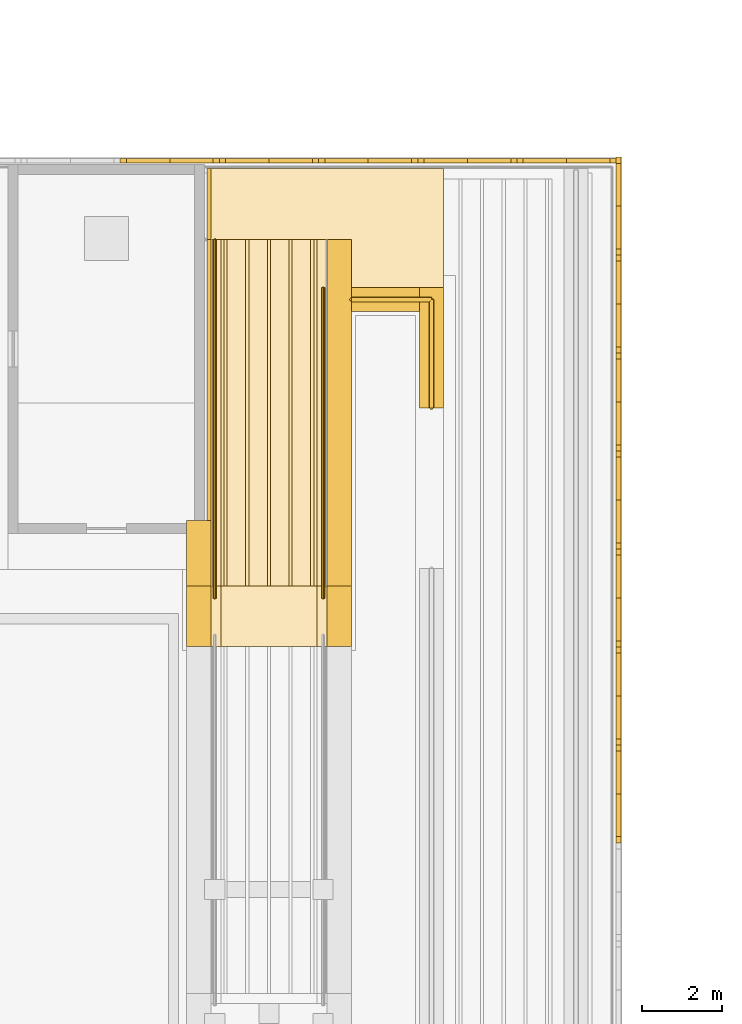
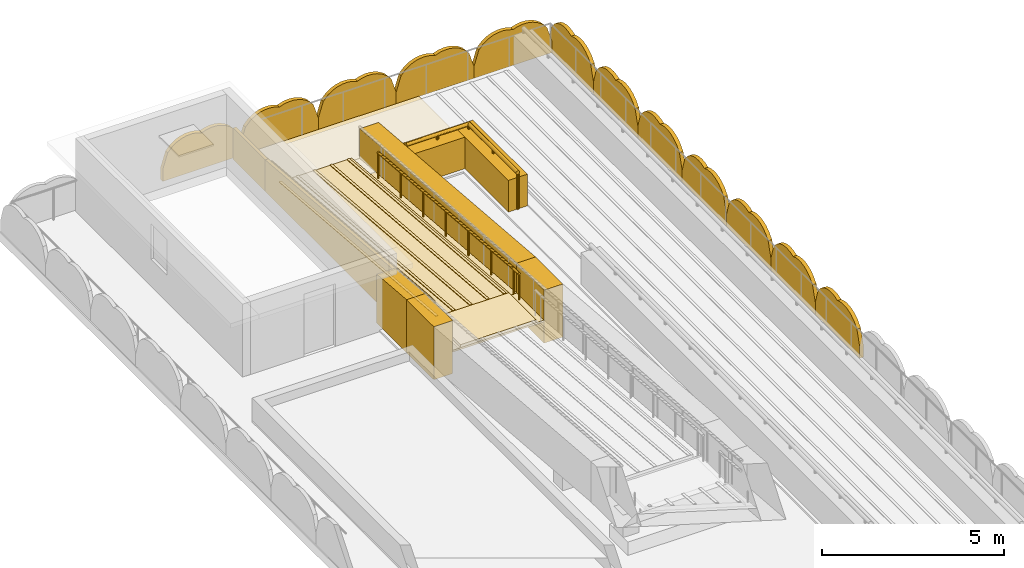
# One storey, part 50 of 50: 18 coverings, 12 shading devices, 3 railings.
"""IFC4 building model written with IfcOpenShell, lengths in metres."""

import ifcopenshell
import ifcopenshell.guid

model = None  # the IFC model being written
_history = None  # IfcOwnerHistory: only IFC2X3 demands one
_inside = {}  # id of a spatial element -> (the spatial element, [elements in it])
_under = {}  # id of a project, library or spatial element -> (it, [spatial elements below it])
_declared = {}  # id of a project -> (the project, [libraries it declares])
_typed = {}  # id of a type object -> (the type object, [elements of that type])
_made_of = {}  # id of a material, layer set ... -> (it, [elements and type objects made of it])


def new_model(schema):
    """Start an empty IFC model of exactly this schema.

    Asked for "IFC4X3", IfcOpenShell would pick the latest addendum, in which some entities
    have other attributes; the version numbers below select the first issue.
    IFC2X3 requires an IfcOwnerHistory on every rooted entity: one is made here for all.
    """
    global model, _history
    if schema == "IFC4X3":
        model = ifcopenshell.file(schema_version=(4, 3, 0, 0))
    else:
        model = ifcopenshell.file(schema=schema)
    _inside.clear()
    _under.clear()
    _declared.clear()
    _typed.clear()
    _made_of.clear()
    _history = None
    if model.schema == "IFC2X3":
        org = make("IfcOrganization", Name="unknown")
        user = make(
            "IfcPersonAndOrganization",
            ThePerson=make("IfcPerson", FamilyName="unknown"),
            TheOrganization=org,
        )
        app = make(
            "IfcApplication",
            ApplicationDeveloper=org,
            Version="unknown",
            ApplicationFullName="unknown",
            ApplicationIdentifier="unknown",
        )
        _history = make(
            "IfcOwnerHistory",
            OwningUser=user,
            OwningApplication=app,
            ChangeAction="ADDED",
            CreationDate=0,
        )
    return model


def make(cls, **values):
    """One entity of the class cls with the attributes given. An attribute that is None is left unset."""
    return model.create_entity(
        cls, **{name: value for name, value in values.items() if value is not None}
    )


def rooted(cls, **values):
    """An entity with a GlobalId (a new one), such as an element, a storey or a relation."""
    return make(cls, GlobalId=ifcopenshell.guid.new(), OwnerHistory=_history, **values)


def si_unit(unit_type, name, prefix=None):
    """IfcSIUnit, for example si_unit("LENGTHUNIT", "METRE", prefix="MILLI")."""
    return make("IfcSIUnit", UnitType=unit_type, Prefix=prefix, Name=name)


def assignment(units):
    """IfcUnitAssignment: the units of a project."""
    return None if units is None else make("IfcUnitAssignment", Units=units)


def point(xyz):
    """IfcCartesianPoint."""
    return None if xyz is None else make("IfcCartesianPoint", Coordinates=xyz)


def direction(xyz):
    """IfcDirection."""
    return None if xyz is None else make("IfcDirection", DirectionRatios=xyz)


def frame(location, z_axis=None, x_axis=None):
    """IfcAxis2Placement3D, a coordinate frame: its origin and axes. An axis left out is left unset."""
    return make(
        "IfcAxis2Placement3D",
        Location=point(location),
        Axis=direction(z_axis),
        RefDirection=direction(x_axis),
    )


def frame_2d(location, x_axis=None):
    """IfcAxis2Placement2D, a coordinate frame in the plane: its origin and x axis."""
    return make(
        "IfcAxis2Placement2D", Location=point(location), RefDirection=direction(x_axis)
    )


def origin():
    """The frame at (0, 0, 0) with its axes left unset."""
    return frame((0.0, 0.0, 0.0))


def origin_2d():
    """The frame at (0, 0) in the plane with its x axis left unset."""
    return frame_2d((0.0, 0.0))


def place(relative_to, where):
    """IfcLocalPlacement: puts the frame where relative to a parent placement (None: the world)."""
    return make(
        "IfcLocalPlacement", PlacementRelTo=relative_to, RelativePlacement=where
    )


def context(
    kind, dimensions, precision=None, world=None, true_north=None, identifier=None
):
    """IfcGeometricRepresentationContext, for example the 3D "Model" context."""
    return make(
        "IfcGeometricRepresentationContext",
        ContextIdentifier=identifier,
        ContextType=kind,
        CoordinateSpaceDimension=dimensions,
        Precision=precision,
        WorldCoordinateSystem=world,
        TrueNorth=true_north,
    )


def subcontext(parent, identifier, kind, view, scale=None):
    """IfcGeometricRepresentationSubContext, for example "Body" below "Model"."""
    return make(
        "IfcGeometricRepresentationSubContext",
        ContextIdentifier=identifier,
        ContextType=kind,
        ParentContext=parent,
        TargetScale=scale,
        TargetView=view,
    )


def project(units=None, contexts=None):
    """IfcProject with its units and contexts."""
    return rooted(
        "IfcProject",
        Name="project",
        RepresentationContexts=contexts,
        UnitsInContext=assignment(units),
    )


def spatial(cls, under=None, at=None, **own):
    """A site, building, storey or space (cls), placed at a placement, below another one or the project."""
    s = rooted(cls, ObjectPlacement=at, **own)
    if under is not None:
        _under.setdefault(under.id(), (under, []))[1].append(s)
    return s


def polyline(points):
    """IfcPolyline through the points."""
    return make("IfcPolyline", Points=[point(p) for p in points])


def profile(cls, at=None, kind="AREA", **sizes):
    """A parametric profile (cls). Its sizes go by their IFC names, for example OverallWidth=200.0."""
    return make(cls, ProfileType=kind, Position=at, **sizes)


def circle(**sizes):
    """IfcCircleProfileDef."""
    return profile("IfcCircleProfileDef", **sizes)


def outline(outer, holes=None, kind="AREA"):
    """IfcArbitraryClosedProfileDef: a profile drawn as a closed curve; with holes, ...WithVoids."""
    if holes is None:
        return make("IfcArbitraryClosedProfileDef", ProfileType=kind, OuterCurve=outer)
    return make(
        "IfcArbitraryProfileDefWithVoids",
        ProfileType=kind,
        OuterCurve=outer,
        InnerCurves=holes,
    )


def extrude(swept, where, along, depth):
    """IfcExtrudedAreaSolid: the profile swept, set in the frame where, extruded along a direction by depth."""
    return make(
        "IfcExtrudedAreaSolid",
        SweptArea=swept,
        Position=where,
        ExtrudedDirection=direction(along),
        Depth=depth,
    )


def shape(context_of_items, identifier, shape_type, items):
    """IfcShapeRepresentation: the items that make up one representation, for example the "Body"."""
    return make(
        "IfcShapeRepresentation",
        ContextOfItems=context_of_items,
        RepresentationIdentifier=identifier,
        RepresentationType=shape_type,
        Items=items,
    )


def material(Name=None, Category=None):
    """IfcMaterial."""
    return make("IfcMaterial", Name=Name, Category=Category)


def layer(
    of_material, thickness, ventilated=None, Name=None, Category=None, Priority=None
):
    """IfcMaterialLayer: one layer of a wall or slab, of a material (None: an air gap)."""
    return make(
        "IfcMaterialLayer",
        Material=of_material,
        LayerThickness=thickness,
        IsVentilated=ventilated,
        Name=Name,
        Category=Category,
        Priority=Priority,
    )


def layer_set(layers, Name=None):
    """IfcMaterialLayerSet."""
    return make("IfcMaterialLayerSet", MaterialLayers=layers, LayerSetName=Name)


def made_of(thing, what):
    """Note that an element or type object is made of a material, layer set ...; save() writes the relation."""
    if what is not None:
        _made_of.setdefault(what.id(), (what, []))[1].append(thing)
    return thing


def type_object(cls, material=None, **own):
    """A type object (cls), such as IfcWallType, which elements share."""
    return made_of(rooted(cls, **own), material)


def element(
    cls,
    number,
    at=None,
    inside=None,
    cuts=None,
    type_object=None,
    material=None,
    context=None,
    identifier="Body",
    shape_type=None,
    held_by="IfcProductDefinitionShape",
    body=None,
    shapes=None,
    **own,
):
    """One element of the class cls, such as IfcWall. Its Tag is "e" and its number.

    at: its placement. inside: the storey or other place that contains it. cuts: it is an
    opening in that element (IfcRelVoidsElement). A single representation is given by context,
    identifier, shape_type and body (its items); several are given by shapes. held_by: the class
    of the entity that holds the representations. save() writes the other relations.
    """
    e = rooted(cls, Tag="e%d" % number, ObjectPlacement=at, **own)
    if body is not None:
        shapes = [shape(context, identifier, shape_type, body)]
    if shapes is not None:
        e.Representation = make(held_by, Representations=shapes)
    if inside is not None:
        _inside.setdefault(inside.id(), (inside, []))[1].append(e)
    if cuts is not None:
        rooted(
            "IfcRelVoidsElement", RelatingBuildingElement=cuts, RelatedOpeningElement=e
        )
    if type_object is not None:
        _typed.setdefault(type_object.id(), (type_object, []))[1].append(e)
    return made_of(e, material)


def aggregate(whole, parts):
    """IfcRelAggregates: a whole, such as a stair, and the parts it consists of."""
    return rooted("IfcRelAggregates", RelatingObject=whole, RelatedObjects=parts)


def save(model, path):
    """Write the relations noted so far, then the file.

    IfcRelAggregates (storeys below a building ...), IfcRelContainedInSpatialStructure (elements
    in a storey), IfcRelDefinesByType, IfcRelAssociatesMaterial and IfcRelDeclares: one each for
    every whole, place, type object, material and project.
    """
    for whole, parts in _under.values():
        aggregate(whole, parts)
    for where, things in _inside.values():
        rooted(
            "IfcRelContainedInSpatialStructure",
            RelatedElements=things,
            RelatingStructure=where,
        )
    for kind, things in _typed.values():
        rooted("IfcRelDefinesByType", RelatedObjects=things, RelatingType=kind)
    for what, things in _made_of.values():
        rooted("IfcRelAssociatesMaterial", RelatedObjects=things, RelatingMaterial=what)
    for by, libraries in _declared.values():
        rooted("IfcRelDeclares", RelatingContext=by, RelatedDefinitions=libraries)
    model.write(path)


model = new_model("IFC4")

# Units and contexts
model_context = context("Model", 3, precision=1e-05, world=origin(), true_north=direction((0.0, 1.0)))
body_context = subcontext(model_context, "Body", "Model", "MODEL_VIEW")
ifc_project = project(units=[si_unit("LENGTHUNIT", "METRE"), si_unit("AREAUNIT", "SQUARE_METRE"), si_unit("VOLUMEUNIT", "CUBIC_METRE"), si_unit("PLANEANGLEUNIT", "RADIAN"), si_unit("MASSUNIT", "GRAM", prefix="KILO")], contexts=[model_context])

# Site, building, storey
site_placement = place(None, origin())
site = spatial("IfcSite", under=ifc_project, at=site_placement, CompositionType="ELEMENT")
building_placement = place(site_placement, origin())
building = spatial("IfcBuilding", under=site, at=building_placement, Name="Elbe Cascade School", CompositionType="ELEMENT")
storey_placement = place(building_placement, frame((0.0, 0.0, 15.300048828125)))
storey = spatial("IfcBuildingStorey", under=building, at=storey_placement, Name="L04", CompositionType="ELEMENT", Elevation=15.300048828125)

# Shading devices
ifc_material_1 = material(Name="Precast concrete C40/50", Category="concrete")
ifc_layer_1 = layer(ifc_material_1, 0.1201171875)
ifc_layer_set_1 = layer_set([ifc_layer_1], Name="Precast concrete C40/50")
shading_device_type = type_object("IfcShadingDeviceType", Name="Bars envelope Attic jali screen, pointed arch top, pierced precast concrete, 1200 high", PredefinedType="USERDEFINED", material=ifc_layer_set_1)
shading_device_1_placement = place(storey_placement, frame((115.919921875, 43.166748046875, 0.0), z_axis=(1.0, 0.0, 0.0), x_axis=(0.0, 1.0, 0.0)))
element("IfcShadingDevice", 1, at=shading_device_1_placement, inside=storey, type_object=shading_device_type, Name="Attic jali screen SD1 B.L04.e16", ObjectType="JALI", PredefinedType="USERDEFINED", context=body_context, shape_type="SweptSolid", body=[
    extrude(outline(polyline([(0.0, 0.0), (2.4404296875, 0.0), (2.4404296875, 0.39990234375), (2.287841796875, 0.892822265625), (2.13525390625, 1.062744140625), (1.98291015625, 1.16748046875), (1.830322265625, 1.23193359375), (1.677734375, 1.265380859375), (1.525146484375, 1.271240234375), (1.37255859375, 1.250244140625), (1.22021484375, 1.199951171875), (1.067626953125, 1.250244140625), (0.9150390625, 1.271240234375), (0.762451171875, 1.265380859375), (0.610107421875, 1.23193359375), (0.45751953125, 1.16748046875), (0.304931640625, 1.062744140625), (0.15234375, 0.892822265625), (0.0, 0.39990234375), (0.0, 0.0)])), origin(), (0.0, 0.0, -1.0), 0.1201171875),
])
shading_device_2_placement = place(storey_placement, frame((115.919921875, 45.607177734375, 0.0), z_axis=(1.0, 0.0, 0.0), x_axis=(0.0, 1.0, 0.0)))
element("IfcShadingDevice", 2, at=shading_device_2_placement, inside=storey, type_object=shading_device_type, Name="Attic jali screen SD1 B.L04.e17", ObjectType="JALI", PredefinedType="USERDEFINED", context=body_context, shape_type="SweptSolid", body=[
    extrude(outline(polyline([(0.0, 0.0), (2.4404296875, 0.0), (2.4404296875, 0.39990234375), (2.287841796875, 0.892822265625), (2.135498046875, 1.062744140625), (1.98291015625, 1.16748046875), (1.830322265625, 1.23193359375), (1.677734375, 1.265380859375), (1.525146484375, 1.271240234375), (1.372802734375, 1.250244140625), (1.22021484375, 1.199951171875), (1.067626953125, 1.250244140625), (0.9150390625, 1.271240234375), (0.7626953125, 1.265380859375), (0.610107421875, 1.23193359375), (0.45751953125, 1.16748046875), (0.304931640625, 1.062744140625), (0.152587890625, 0.892822265625), (0.0, 0.39990234375), (0.0, 0.0)])), origin(), (0.0, 0.0, -1.0), 0.1201171875),
])
shading_device_3_placement = place(storey_placement, frame((115.919921875, 48.047607421875, 0.0), z_axis=(1.0, 0.0, 0.0), x_axis=(0.0, 1.0, 0.0)))
element("IfcShadingDevice", 3, at=shading_device_3_placement, inside=storey, type_object=shading_device_type, Name="Attic jali screen SD1 B.L04.e18", ObjectType="JALI", PredefinedType="USERDEFINED", context=body_context, shape_type="SweptSolid", body=[
    extrude(outline(polyline([(0.0, 0.0), (2.4404296875, 0.0), (2.4404296875, 0.39990234375), (2.2880859375, 0.892822265625), (2.135498046875, 1.062744140625), (1.98291015625, 1.16748046875), (1.830322265625, 1.23193359375), (1.677734375, 1.265380859375), (1.525390625, 1.271240234375), (1.372802734375, 1.250244140625), (1.22021484375, 1.199951171875), (1.067626953125, 1.250244140625), (0.915283203125, 1.271240234375), (0.7626953125, 1.265380859375), (0.610107421875, 1.23193359375), (0.45751953125, 1.16748046875), (0.30517578125, 1.062744140625), (0.152587890625, 0.892822265625), (0.0, 0.39990234375), (0.0, 0.0)])), origin(), (0.0, 0.0, -1.0), 0.1201171875),
])
shading_device_4_placement = place(storey_placement, frame((115.919921875, 50.488037109375, 0.0), z_axis=(1.0, 0.0, 0.0), x_axis=(0.0, 1.0, 0.0)))
element("IfcShadingDevice", 4, at=shading_device_4_placement, inside=storey, type_object=shading_device_type, Name="Attic jali screen SD1 B.L04.e19", ObjectType="JALI", PredefinedType="USERDEFINED", context=body_context, shape_type="SweptSolid", body=[
    extrude(outline(polyline([(0.0, 0.0), (2.440673828125, 0.0), (2.440673828125, 0.39990234375), (2.287841796875, 0.892822265625), (2.135498046875, 1.062744140625), (1.98291015625, 1.16748046875), (1.83056640625, 1.23193359375), (1.677978515625, 1.265380859375), (1.525390625, 1.271240234375), (1.372802734375, 1.250244140625), (1.22021484375, 1.199951171875), (1.06787109375, 1.250244140625), (0.915283203125, 1.271240234375), (0.7626953125, 1.265380859375), (0.610107421875, 1.23193359375), (0.457763671875, 1.16748046875), (0.30517578125, 1.062744140625), (0.152587890625, 0.892822265625), (0.0, 0.39990234375), (0.0, 0.0)])), origin(), (0.0, 0.0, -1.0), 0.1201171875),
])
shading_device_5_placement = place(storey_placement, frame((115.919921875, 52.9287109375, 0.0), z_axis=(1.0, 0.0, 0.0), x_axis=(0.0, 1.0, 0.0)))
element("IfcShadingDevice", 5, at=shading_device_5_placement, inside=storey, type_object=shading_device_type, Name="Attic jali screen SD1 B.L04.e20", ObjectType="JALI", PredefinedType="USERDEFINED", context=body_context, shape_type="SweptSolid", body=[
    extrude(outline(polyline([(0.0, 0.0), (2.440185546875, 0.0), (2.440185546875, 0.39990234375), (2.287841796875, 0.892822265625), (2.13525390625, 1.062744140625), (1.98291015625, 1.16748046875), (1.830078125, 1.23193359375), (1.677734375, 1.265380859375), (1.525146484375, 1.271240234375), (1.37255859375, 1.250244140625), (1.219970703125, 1.199951171875), (1.067626953125, 1.250244140625), (0.9150390625, 1.271240234375), (0.762451171875, 1.265380859375), (0.610107421875, 1.23193359375), (0.45751953125, 1.16748046875), (0.304931640625, 1.062744140625), (0.15234375, 0.892822265625), (0.0, 0.39990234375), (0.0, 0.0)])), origin(), (0.0, 0.0, -1.0), 0.1201171875),
])
shading_device_6_placement = place(storey_placement, frame((115.919921875, 55.368896484375, 0.0), z_axis=(1.0, 0.0, 0.0), x_axis=(0.0, 1.0, 0.0)))
element("IfcShadingDevice", 6, at=shading_device_6_placement, inside=storey, type_object=shading_device_type, Name="Attic jali screen SD1 B.L04.e21", ObjectType="JALI", PredefinedType="USERDEFINED", context=body_context, shape_type="SweptSolid", body=[
    extrude(outline(polyline([(0.0, 0.0), (2.440673828125, 0.0), (2.440673828125, 0.39990234375), (2.2880859375, 0.892822265625), (2.135498046875, 1.062744140625), (1.98291015625, 1.16748046875), (1.83056640625, 1.23193359375), (1.677978515625, 1.265380859375), (1.525390625, 1.271240234375), (1.372802734375, 1.250244140625), (1.220458984375, 1.199951171875), (1.06787109375, 1.250244140625), (0.915283203125, 1.271240234375), (0.7626953125, 1.265380859375), (0.6103515625, 1.23193359375), (0.457763671875, 1.16748046875), (0.30517578125, 1.062744140625), (0.152587890625, 0.892822265625), (0.0, 0.39990234375), (0.0, 0.0)])), origin(), (0.0, 0.0, -1.0), 0.1201171875),
])
shading_device_7_placement = place(storey_placement, frame((115.919921875, 57.8095703125, 0.0), z_axis=(1.0, 0.0, 0.0), x_axis=(0.0, 1.0, 0.0)))
element("IfcShadingDevice", 7, at=shading_device_7_placement, inside=storey, type_object=shading_device_type, Name="Attic jali screen SD1 B.L04.e22", ObjectType="JALI", PredefinedType="USERDEFINED", context=body_context, shape_type="SweptSolid", body=[
    extrude(outline(polyline([(0.0, 0.0), (2.4404296875, 0.0), (2.4404296875, 0.39990234375), (2.287841796875, 0.892822265625), (2.13525390625, 1.062744140625), (1.98291015625, 1.16748046875), (1.830322265625, 1.23193359375), (1.677734375, 1.265380859375), (1.525146484375, 1.271240234375), (1.372802734375, 1.250244140625), (1.22021484375, 1.199951171875), (1.067626953125, 1.250244140625), (0.9150390625, 1.271240234375), (0.7626953125, 1.265380859375), (0.610107421875, 1.23193359375), (0.45751953125, 1.16748046875), (0.304931640625, 1.062744140625), (0.152587890625, 0.892822265625), (0.0, 0.39990234375), (0.0, 0.0)])), origin(), (0.0, 0.0, -1.0), 0.1201171875),
])
shading_device_8_placement = place(storey_placement, frame((103.44287109375, 60.219970703125, 0.39990234375), z_axis=(0.0, 1.0, 0.0), x_axis=(0.296885994804, 0.0, 0.954912931156)))
element("IfcShadingDevice", 8, at=shading_device_8_placement, inside=storey, type_object=shading_device_type, Name="Attic jali screen SD1 B.L04.n3", ObjectType="JALI", PredefinedType="USERDEFINED", context=body_context, shape_type="SweptSolid", body=[
    extrude(outline(polyline([(0.0, 0.0), (0.5205399322619295, 0.0), (0.7297747744144588, 0.09653024661443438), (0.8759030447045664, 0.21293622992885647), (0.9833312303823933, 0.34137421400927725), (1.060612771989436, 0.4789292343198281), (1.1111564959480074, 0.6250528098876207), (1.1353561864054482, 0.7793668438081713), (1.130880512963428, 0.9425961554047334), (1.227045830796945, 1.0742801391969354), (1.2946082666633263, 1.2151125337049815), (1.3358266690285774, 1.3641353865657857), (1.350162289880706, 1.521260528604166), (1.3344962305267012, 1.6879689729523422), (1.280130086560416, 1.8667094180665167), (1.162512406867058, 2.0648593338010137), (0.7337346009289507, 2.3600057622296102), (0.3518626816824722, 2.4787311673784416), (-0.3818719192464785, 0.1187254051488315), (0.0, 0.0)])), origin(), (0.0, 0.0, -1.0), 0.1201171875),
])
shading_device_9_placement = place(storey_placement, frame((105.914306640625, 60.219970703125, 0.39990234375), z_axis=(0.0, 1.0, 0.0), x_axis=(0.296458230814, 0.0, 0.95504581952)))
element("IfcShadingDevice", 9, at=shading_device_9_placement, inside=storey, type_object=shading_device_type, Name="Attic jali screen SD1 B.L04.n4", ObjectType="JALI", PredefinedType="USERDEFINED", context=body_context, shape_type="SweptSolid", body=[
    extrude(outline(polyline([(0.0, 0.0), (0.5204675025432551, 2.7755575615628914e-17), (0.729731462403768, 0.09685712498921242), (0.8758075762950558, 0.21332855187064), (0.983105842463895, 0.3415814778964902), (1.0603981387872072, 0.47940426661630703), (1.110876404533173, 0.6255504675782079), (1.135006970668355, 0.7798753257866782), (1.130385804862183, 0.9428694507360091), (1.2265645053312784, 1.0748296621374887), (1.2940638513567773, 1.2156923057631102), (1.335143120273735, 1.3645004411520198), (1.3494807361111034, 1.5218651542662944), (1.3337400046051875, 1.6885665645912549), (1.2792938028745806, 1.8672826395439193), (1.1615873776769912, 2.0653798509055172), (0.7326774097966595, 2.3603341872563277), (0.3507523481819342, 2.478888528582706), (-0.38192506161472534, 0.11855434132637838), (0.0, 0.0)])), origin(), (0.0, 0.0, -1.0), 0.1201171875),
])
shading_device_10_placement = place(storey_placement, frame((108.3857421875, 60.219970703125, 0.39990234375), z_axis=(0.0, 1.0, 0.0), x_axis=(0.296885994804, 0.0, 0.954912931156)))
element("IfcShadingDevice", 10, at=shading_device_10_placement, inside=storey, type_object=shading_device_type, Name="Attic jali screen SD1 B.L04.n5", ObjectType="JALI", PredefinedType="USERDEFINED", context=body_context, shape_type="SweptSolid", body=[
    extrude(outline(polyline([(0.0, 0.0), (0.5205399322619295, 0.0), (0.7297747744144588, 0.09653024661443438), (0.8759030447045664, 0.21293622992885647), (0.9833312303823933, 0.34137421400927725), (1.060612771989436, 0.4789292343198281), (1.1111564959480074, 0.6250528098876207), (1.1353561864054482, 0.7793668438081713), (1.1308080310311026, 0.9423630223649005), (1.227045830796945, 1.0742801391969354), (1.2946082666633263, 1.2151125337049815), (1.335754187096252, 1.3639022535259528), (1.350162289880706, 1.521260528604166), (1.3344962305267012, 1.6879689729523422), (1.2800576046280905, 1.8664762850266836), (1.162512406867058, 2.0648593338010137), (0.7337346009289507, 2.3600057622296102), (0.3518626816824722, 2.4787311673784416), (-0.3818719192464785, 0.1187254051488315), (0.0, 0.0)])), origin(), (0.0, 0.0, -1.0), 0.1201171875),
])
shading_device_11_placement = place(storey_placement, frame((110.857177734375, 60.219970703125, 0.39990234375), z_axis=(0.0, 1.0, 0.0), x_axis=(0.296885994804, 0.0, 0.954912931156)))
element("IfcShadingDevice", 11, at=shading_device_11_placement, inside=storey, type_object=shading_device_type, Name="Attic jali screen SD1 B.L04.n6", ObjectType="JALI", PredefinedType="USERDEFINED", context=body_context, shape_type="SweptSolid", body=[
    extrude(outline(polyline([(0.0, 0.0), (0.5205399322619295, 0.0), (0.7297747744144588, 0.09653024661443438), (0.8759030447045664, 0.21293622992885647), (0.9833312303823933, 0.34137421400927725), (1.060612771989436, 0.4789292343198281), (1.1111564959480074, 0.6250528098876207), (1.1353561864054482, 0.7793668438081713), (1.130880512963428, 0.9425961554047334), (1.227045830796945, 1.0742801391969354), (1.2946082666633263, 1.2151125337049815), (1.335754187096252, 1.3639022535259528), (1.350162289880706, 1.521260528604166), (1.3344962305267012, 1.6879689729523422), (1.2800576046280905, 1.8664762850266836), (1.162512406867058, 2.0648593338010137), (0.7337346009289507, 2.3600057622296102), (0.3518626816824722, 2.4787311673784416), (-0.3818719192464785, 0.1187254051488315), (0.0, 0.0)])), origin(), (0.0, 0.0, -1.0), 0.1201171875),
])
shading_device_12_placement = place(storey_placement, frame((113.32861328125, 60.219970703125, 0.39990234375), z_axis=(0.0, 1.0, 0.0), x_axis=(0.296458230814, 0.0, 0.95504581952)))
element("IfcShadingDevice", 12, at=shading_device_12_placement, inside=storey, type_object=shading_device_type, Name="Attic jali screen SD1 B.L04.n7", ObjectType="JALI", PredefinedType="USERDEFINED", context=body_context, shape_type="SweptSolid", body=[
    extrude(outline(polyline([(0.0, 0.0), (0.5204675025432551, 2.7755575615628914e-17), (0.729731462403768, 0.09685712498921242), (0.8758075762950558, 0.21332855187064), (0.983105842463895, 0.3415814778964902), (1.0603981387872072, 0.47940426661630703), (1.110876404533173, 0.6255504675782079), (1.135006970668355, 0.7798753257866782), (1.130385804862183, 0.9428694507360091), (1.2265645053312784, 1.0748296621374887), (1.2940638513567773, 1.2156923057631102), (1.335143120273735, 1.3645004411520198), (1.3494807361111034, 1.5218651542662944), (1.3337400046051875, 1.6885665645912549), (1.2792938028745806, 1.8672826395439193), (1.1615873776769912, 2.0653798509055172), (0.7326774097966595, 2.3603341872563277), (0.3507523481819342, 2.478888528582706), (-0.38192506161472534, 0.11855434132637838), (0.0, 0.0)])), origin(), (0.0, 0.0, -1.0), 0.1201171875),
])

# Coverings
ifc_material_2 = material(Name="Running track surfacing - white lines", Category="surfacing")
ifc_layer_2 = layer(ifc_material_2, 0.02001953125)
ifc_layer_set_2 = layer_set([ifc_layer_2], Name="Running track surfacing - white lines")
covering_type_1 = type_object("IfcCoveringType", Name="Lane marking 80", PredefinedType="FLOORING", material=ifc_layer_set_2)
covering_1_placement = place(storey_placement, frame((106.030029296875, 49.56005859375, 0.9599609375), z_axis=(0.0, 0.08304314939, 0.996545952447), x_axis=(0.0, 0.996545952447, -0.08304314939)))
element("IfcCovering", 13, at=covering_1_placement, inside=storey, type_object=covering_type_1, Name="Lane marking B ramp flight 5 line 1", PredefinedType="FLOORING", context=body_context, shape_type="SweptSolid", body=[
    extrude(outline(polyline([(0.0, 0.0), (8.669838612967244, 0.0), (8.669838612967244, -0.08007812500000001), (0.0, -0.08007812500000001), (0.0, 0.0)])), origin(), (0.08304314939, 0.0, -0.996545952447), 0.02001953125),
])
for number, where, z_axis, x_axis, name in (
    (14, (106.570068359375, 49.56005859375, 0.9599609375), (0.0, 0.08304314939, 0.996545952447), (0.0, 0.996545952447, -0.08304314939), "Lane marking B ramp flight 5 line 2"),
    (15, (107.110107421875, 49.56005859375, 0.9599609375), (0.0, 0.08304314939, 0.996545952447), (0.0, 0.996545952447, -0.08304314939), "Lane marking B ramp flight 5 line 3"),
):
    element("IfcCovering", number, at=place(storey_placement, frame(where, z_axis=z_axis, x_axis=x_axis)), inside=storey, type_object=covering_type_1, Name=name, PredefinedType="FLOORING", context=body_context, shape_type="SweptSolid", body=[
        extrude(outline(polyline([(0.0, 0.0), (8.669838612967244, 0.0), (8.669838612967244, -0.079833984375), (0.0, -0.079833984375), (0.0, 0.0)])), origin(), (0.08304314939, 0.0, -0.996545952447), 0.02001953125),
    ])
for number, where, z_axis, x_axis, name in (
    (16, (107.64990234375, 49.56005859375, 0.9599609375), (0.0, 0.08304314939, 0.996545952447), (0.0, 0.996545952447, -0.08304314939), "Lane marking B ramp flight 5 line 4"),
    (17, (108.18994140625, 49.56005859375, 0.9599609375), (0.0, 0.08304314939, 0.996545952447), (0.0, 0.996545952447, -0.08304314939), "Lane marking B ramp flight 5 line 5"),
):
    element("IfcCovering", number, at=place(storey_placement, frame(where, z_axis=z_axis, x_axis=x_axis)), inside=storey, type_object=covering_type_1, Name=name, PredefinedType="FLOORING", context=body_context, shape_type="SweptSolid", body=[
        extrude(outline(polyline([(0.0, 0.0), (8.669838612967244, 0.0), (8.669838612967244, -0.08007812500000001), (0.0, -0.08007812500000001), (0.0, 0.0)])), origin(), (0.08304314939, 0.0, -0.996545952447), 0.02001953125),
    ])
ifc_material_3 = material(Name="Concrete C30/37 precast parapet", Category="concrete")
ifc_layer_3 = layer(ifc_material_3, 0.10009765625)
ifc_layer_set_3 = layer_set([ifc_layer_3], Name="Concrete C30/37 precast parapet")
covering_type_2 = type_object("IfcCoveringType", Name="Ramp parapet beside a wall 100", PredefinedType="CLADDING", material=ifc_layer_set_3)
covering_2_placement = place(storey_placement, frame((105.60009765625, 49.56005859375, 0.06005859375), z_axis=(1.0, 0.0, 0.0), x_axis=(0.0, 1.0, 0.0)))
element("IfcCovering", 18, at=covering_2_placement, inside=storey, type_object=covering_type_2, Name="Ramp B flight 5 parapet w2", PredefinedType="CLADDING", context=body_context, shape_type="SweptSolid", body=[
    extrude(outline(polyline([(1.639892578125, 0.0), (8.639892578125, 0.0), (8.639892578125, 1.06005859375), (1.639892578125, 1.643310546875), (1.639892578125, 0.0)])), origin(), (0.0, 0.0, 1.0), 0.099853515625),
])
ifc_material_4 = material(Name="Concrete C30/37 precast parapet", Category="concrete")
ifc_layer_4 = layer(ifc_material_4, 0.60009765625)
ifc_layer_set_4 = layer_set([ifc_layer_4], Name="Concrete C30/37 precast parapet")
covering_type_3 = type_object("IfcCoveringType", Name="Ramp parapet on deck 600", PredefinedType="CLADDING", material=ifc_layer_set_4)
covering_3_placement = place(storey_placement, frame((0.0, 0.0, 0.06005859375)))
element("IfcCovering", 19, at=covering_3_placement, inside=storey, type_object=covering_type_3, Name="Ramp B landing 5 parapet w1", PredefinedType="CLADDING", context=body_context, shape_type="SweptSolid", body=[
    extrude(outline(polyline([(105.10009765625, 48.06005859375), (105.699951171875, 48.06005859375), (105.699951171875, 49.56005859375), (105.10009765625, 49.56005859375), (105.10009765625, 48.06005859375)])), origin(), (0.0, 0.0, 1.0), 1.77978515625),
])
covering_4_placement = place(storey_placement, frame((105.10009765625, 49.56005859375, 0.06005859375), z_axis=(1.0, 0.0, 0.0), x_axis=(0.0, 1.0, 0.0)))
element("IfcCovering", 20, at=covering_4_placement, inside=storey, type_object=covering_type_3, Name="Ramp B flight 5 parapet w1", PredefinedType="CLADDING", context=body_context, shape_type="SweptSolid", body=[
    extrude(outline(polyline([(0.0, 0.0), (1.639892578125, 0.0), (1.639892578125, 1.643310546875), (0.0, 1.780029296875), (0.0, 0.0)])), origin(), (0.0, 0.0, 1.0), 0.599853515625),
])
covering_5_placement = place(storey_placement, frame((0.0, 0.0, 0.06005859375)))
element("IfcCovering", 21, at=covering_5_placement, inside=storey, type_object=covering_type_3, Name="Ramp B landing 5 parapet e1", PredefinedType="CLADDING", context=body_context, shape_type="SweptSolid", body=[
    extrude(outline(polyline([(108.60009765625, 48.06005859375), (109.199951171875, 48.06005859375), (109.199951171875, 49.56005859375), (108.60009765625, 49.56005859375), (108.60009765625, 48.06005859375)])), origin(), (0.0, 0.0, 1.0), 1.77978515625),
])
covering_6_placement = place(storey_placement, frame((108.60009765625, 49.56005859375, 0.06005859375), z_axis=(1.0, 0.0, 0.0), x_axis=(0.0, 1.0, 0.0)))
element("IfcCovering", 22, at=covering_6_placement, inside=storey, type_object=covering_type_3, Name="Ramp B flight 5 parapet e1", PredefinedType="CLADDING", context=body_context, shape_type="SweptSolid", body=[
    extrude(outline(polyline([(0.0, 0.0), (8.639892578125, 0.0), (8.639892578125, 1.06005859375), (0.0, 1.780029296875), (0.0, 0.0)])), origin(), (0.0, 0.0, 1.0), 0.599853515625),
])
ifc_material_5 = material(Name="Running track surfacing - red", Category="surfacing")
ifc_layer_5 = layer(ifc_material_5, 0.10009765625)
ifc_layer_set_5 = layer_set([ifc_layer_5], Name="Running track surfacing - red")
covering_type_4 = type_object("IfcCoveringType", Name="Running track band 100", PredefinedType="USERDEFINED", material=ifc_layer_set_5)
covering_7_placement = place(storey_placement, frame((0.0, 0.0, 0.83984375)))
element("IfcCovering", 23, at=covering_7_placement, inside=storey, type_object=covering_type_4, Name="Running track band B ramp landing 5", ObjectType="RUNNING TRACK", PredefinedType="USERDEFINED", context=body_context, shape_type="SweptSolid", body=[
    extrude(outline(polyline([(108.35009765625, 48.06005859375), (108.35009765625, 49.56005859375), (105.949951171875, 49.56005859375), (105.949951171875, 48.06005859375), (108.35009765625, 48.06005859375)])), origin(), (0.0, 0.0, 1.0), 0.10009765625),
])
covering_8_placement = place(storey_placement, frame((105.949951171875, 49.56005859375, 0.93994140625), z_axis=(0.0, 0.08304314939, 0.996545952447), x_axis=(0.0, 0.996545952447, -0.08304314939)))
element("IfcCovering", 24, at=covering_8_placement, inside=storey, type_object=covering_type_4, Name="Running track band B ramp flight 5", ObjectType="RUNNING TRACK", PredefinedType="USERDEFINED", context=body_context, shape_type="SweptSolid", body=[
    extrude(outline(polyline([(0.0, 0.0), (8.669838612967244, 0.0), (8.669838612967244, -2.400146484375), (0.0, -2.400146484375), (0.0, 0.0)])), origin(), (0.08304314939, 0.0, -0.996545952447), 0.10009765625),
])
ifc_material_6 = material(Name="Running track surfacing - red", Category="surfacing")
ifc_layer_6 = layer(ifc_material_6, 0.06005859375)
ifc_layer_set_6 = layer_set([ifc_layer_6], Name="Running track surfacing - red")
covering_type_5 = type_object("IfcCoveringType", Name="Running track surfacing 60", PredefinedType="USERDEFINED", material=ifc_layer_set_6)
covering_9_placement = place(storey_placement, frame((0.0, 0.0, 0.06005859375)))
element("IfcCovering", 25, at=covering_9_placement, inside=storey, type_object=covering_type_5, Name="Running track B ramp link", ObjectType="RUNNING TRACK", PredefinedType="USERDEFINED", context=body_context, shape_type="SweptSolid", body=[
    extrude(outline(polyline([(105.699951171875, 58.199951171875), (108.60009765625, 58.199951171875), (108.60009765625, 57.0), (111.5, 57.0), (111.5, 59.969970703125), (105.699951171875, 59.969970703125), (105.699951171875, 58.199951171875)])), origin(), (0.0, 0.0, 1.0), 0.059814453125),
])
covering_10_placement = place(storey_placement, frame((0.0, 0.0, 0.780029296875)))
element("IfcCovering", 26, at=covering_10_placement, inside=storey, type_object=covering_type_5, Name="Running track B ramp landing 5", ObjectType="RUNNING TRACK", PredefinedType="USERDEFINED", context=body_context, shape_type="SweptSolid", body=[
    extrude(outline(polyline([(108.60009765625, 48.06005859375), (108.60009765625, 49.56005859375), (105.699951171875, 49.56005859375), (105.699951171875, 48.06005859375), (108.60009765625, 48.06005859375)])), origin(), (0.0, 0.0, 1.0), 0.059814453125),
])
covering_11_placement = place(storey_placement, frame((105.699951171875, 49.56005859375, 0.83984375), z_axis=(0.0, 0.08304314939, 0.996545952447), x_axis=(0.0, 0.996545952447, -0.08304314939)))
element("IfcCovering", 27, at=covering_11_placement, inside=storey, type_object=covering_type_5, Name="Running track B ramp flight 5", ObjectType="RUNNING TRACK", PredefinedType="USERDEFINED", context=body_context, shape_type="SweptSolid", body=[
    extrude(outline(polyline([(0.0, 0.0), (8.669838612967244, 0.0), (8.669838612967244, -2.900146484375), (0.0, -2.900146484375), (0.0, 0.0)])), origin(), (0.08304314939, 0.0, -0.996545952447), 0.06005859375),
])

# Railings
ifc_material_7 = material(Name="Steel S355J2H", Category="steel")
railing_type_1 = type_object("IfcRailingType", Name="Track edge rail 1280", PredefinedType="GUARDRAIL", material=ifc_material_7)
railing_1_placement = place(storey_placement, frame((109.199951171875, 56.699951171875, 0.06005859375)))
element("IfcRailing", 28, at=railing_1_placement, inside=storey, type_object=railing_type_1, Name="Track edge rail RL6 B west 1", PredefinedType="GUARDRAIL", context=body_context, shape_type="SweptSolid", body=[
    extrude(circle(Radius=0.06005859375, at=origin_2d()), frame((0.0, 0.0, 1.219970703125), z_axis=(1.0, 0.0, 0.0), x_axis=(0.0, 1.0, 0.0)), (0.0, 0.0, 1.0), 2.0),
    extrude(circle(Radius=0.06005859375, at=origin_2d()), frame((2.0, 0.0, 1.219970703125), z_axis=(0.0, -1.0, 0.0), x_axis=(1.0, 0.0, 0.0)), (0.0, 0.0, 1.0), 2.699951171875),
    extrude(circle(Radius=0.0400390625, at=origin_2d()), origin(), (0.0, 0.0, 1.0), 1.159912109375),
    extrude(circle(Radius=0.0400390625, at=origin_2d()), frame((1.0, 0.0, 0.0)), (0.0, 0.0, 1.0), 1.159912109375),
    extrude(circle(Radius=0.0400390625, at=origin_2d()), frame((2.0, 0.0, 0.0)), (0.0, 0.0, 1.0), 1.159912109375),
    extrude(circle(Radius=0.0400390625, at=origin_2d()), frame((2.0, -1.35009765625, 0.0)), (0.0, 0.0, 1.0), 1.159912109375),
    extrude(circle(Radius=0.0400390625, at=origin_2d()), frame((2.0, -2.699951171875, 0.0)), (0.0, 0.0, 1.0), 1.159912109375),
])
ifc_material_8 = material(Name="Steel S355J2H", Category="steel")
railing_type_2 = type_object("IfcRailingType", Name="Track handrail 900", PredefinedType="HANDRAIL", material=ifc_material_8)
railing_2_placement = place(storey_placement, frame((108.5, 49.260009765625, 0.83984375)))
element("IfcRailing", 29, at=railing_2_placement, inside=storey, type_object=railing_type_2, Name="Track handrail RL5 A-B south and east flight 5", PredefinedType="HANDRAIL", context=body_context, shape_type="SweptSolid", body=[
    extrude(circle(Radius=0.0400390625, at=origin_2d()), frame((0.0, 0.0, 0.85986328125), z_axis=(0.0, 1.0, 0.0), x_axis=(-1.0, 0.0, 0.0)), (0.0, 0.0, 1.0), 0.300048828125),
    extrude(circle(Radius=0.0400390625, at=origin_2d()), frame((0.0, 0.300048828125, 0.85986328125), z_axis=(0.0, 0.99654711128, -0.08302924183), x_axis=(-1.0, 0.0, 0.0)), (0.0, 0.0, 1.0), 7.4658203125),
    extrude(circle(Radius=0.02099609375, at=origin_2d()), origin(), (0.0, 0.0, 1.0), 0.81982421875),
    extrude(circle(Radius=0.02099609375, at=origin_2d()), frame((0.0, 0.300048828125, 0.0)), (0.0, 0.0, 1.0), 0.81982421875),
    extrude(circle(Radius=0.02099609375, at=origin_2d()), frame((0.0, 1.5400390625, -0.103271484375)), (0.0, 0.0, 1.0), 0.81982421875),
    extrude(circle(Radius=0.02099609375, at=origin_2d()), frame((0.0, 2.780029296875, -0.20654296875)), (0.0, 0.0, 1.0), 0.81982421875),
    extrude(circle(Radius=0.02099609375, at=origin_2d()), frame((0.0, 4.02001953125, -0.31005859375)), (0.0, 0.0, 1.0), 0.81982421875),
    extrude(circle(Radius=0.02099609375, at=origin_2d()), frame((0.0, 5.260009765625, -0.413330078125)), (0.0, 0.0, 1.0), 0.81982421875),
    extrude(circle(Radius=0.02099609375, at=origin_2d()), frame((0.0, 6.5, -0.5166015625)), (0.0, 0.0, 1.0), 0.81982421875),
    extrude(circle(Radius=0.02099609375, at=origin_2d()), frame((0.0, 7.739990234375, -0.619873046875)), (0.0, 0.0, 1.0), 0.81982421875),
])
railing_3_placement = place(storey_placement, frame((105.800048828125, 49.260009765625, 0.83984375)))
element("IfcRailing", 30, at=railing_3_placement, inside=storey, type_object=railing_type_2, Name="Track handrail RL5 A-B north and west flight 5", PredefinedType="HANDRAIL", context=body_context, shape_type="SweptSolid", body=[
    extrude(circle(Radius=0.0400390625, at=origin_2d()), frame((0.0, 0.0, 0.85986328125), z_axis=(0.0, 1.0, 0.0), x_axis=(-1.0, 0.0, 0.0)), (0.0, 0.0, 1.0), 0.300048828125),
    extrude(circle(Radius=0.0400390625, at=origin_2d()), frame((0.0, 0.300048828125, 0.85986328125), z_axis=(0.0, 0.996545952447, -0.08304314939), x_axis=(-1.0, 0.0, 0.0)), (0.0, 0.0, 1.0), 8.669921875),
    extrude(circle(Radius=0.02099609375, at=origin_2d()), origin(), (0.0, 0.0, 1.0), 0.81982421875),
    extrude(circle(Radius=0.02099609375, at=origin_2d()), frame((0.0, 0.300048828125, 0.0)), (0.0, 0.0, 1.0), 0.81982421875),
    extrude(circle(Radius=0.02099609375, at=origin_2d()), frame((0.0, 1.534423828125, -0.102783203125)), (0.0, 0.0, 1.0), 0.81982421875),
    extrude(circle(Radius=0.02099609375, at=origin_2d()), frame((0.0, 2.7685546875, -0.205810546875)), (0.0, 0.0, 1.0), 0.81982421875),
    extrude(circle(Radius=0.02099609375, at=origin_2d()), frame((0.0, 4.0029296875, -0.30859375)), (0.0, 0.0, 1.0), 0.81982421875),
    extrude(circle(Radius=0.02099609375, at=origin_2d()), frame((0.0, 5.237060546875, -0.411376953125)), (0.0, 0.0, 1.0), 0.81982421875),
    extrude(circle(Radius=0.02099609375, at=origin_2d()), frame((0.0, 6.471435546875, -0.51416015625)), (0.0, 0.0, 1.0), 0.81982421875),
    extrude(circle(Radius=0.02099609375, at=origin_2d()), frame((0.0, 7.70556640625, -0.6171875)), (0.0, 0.0, 1.0), 0.81982421875),
    extrude(circle(Radius=0.02099609375, at=origin_2d()), frame((0.0, 8.93994140625, -0.719970703125)), (0.0, 0.0, 1.0), 0.81982421875),
])

# Coverings
ifc_material_9 = material(Name="Concrete C30/37 precast parapet", Category="concrete")
ifc_layer_7 = layer(ifc_material_9, 0.10009765625)
ifc_layer_set_7 = layer_set([ifc_layer_7], Name="Concrete C30/37 precast parapet")
covering_type_6 = type_object("IfcCoveringType", Name="Track parapet beside a wall 100x1060", PredefinedType="CLADDING", material=ifc_layer_set_7)
covering_12_placement = place(storey_placement, frame((0.0, 0.0, 0.06005859375)))
element("IfcCovering", 31, at=covering_12_placement, inside=storey, type_object=covering_type_6, Name="Track parapet B link west", PredefinedType="CLADDING", context=body_context, shape_type="SweptSolid", body=[
    extrude(outline(polyline([(105.60009765625, 58.199951171875), (105.699951171875, 58.199951171875), (105.699951171875, 59.969970703125), (105.60009765625, 59.969970703125), (105.60009765625, 58.199951171875)])), origin(), (0.0, 0.0, 1.0), 1.059814453125),
])
ifc_material_10 = material(Name="Concrete C30/37 precast parapet", Category="concrete")
ifc_layer_8 = layer(ifc_material_10, 0.60009765625)
ifc_layer_set_8 = layer_set([ifc_layer_8], Name="Concrete C30/37 precast parapet")
covering_type_7 = type_object("IfcCoveringType", Name="Track parapet on deck 600x1060", PredefinedType="CLADDING", material=ifc_layer_set_8)
covering_13_placement = place(storey_placement, frame((0.0, 0.0, 0.06005859375)))
element("IfcCovering", 32, at=covering_13_placement, inside=storey, type_object=covering_type_7, Name="Track parapet B link south", PredefinedType="CLADDING", context=body_context, shape_type="SweptSolid", body=[
    extrude(outline(polyline([(109.199951171875, 56.39990234375), (110.89990234375, 56.39990234375), (110.89990234375, 57.0), (109.199951171875, 57.0), (109.199951171875, 56.39990234375)])), origin(), (0.0, 0.0, 1.0), 1.059814453125),
])
covering_14_placement = place(storey_placement, frame((0.0, 0.0, 0.06005859375)))
element("IfcCovering", 33, at=covering_14_placement, inside=storey, type_object=covering_type_7, Name="Track parapet B west 1", PredefinedType="CLADDING", context=body_context, shape_type="SweptSolid", body=[
    extrude(outline(polyline([(110.89990234375, 57.0), (111.5, 57.0), (111.5, 54.0), (110.89990234375, 54.0), (110.89990234375, 57.0)])), origin(), (0.0, 0.0, 1.0), 1.059814453125),
])

save(model, "model.ifc")
